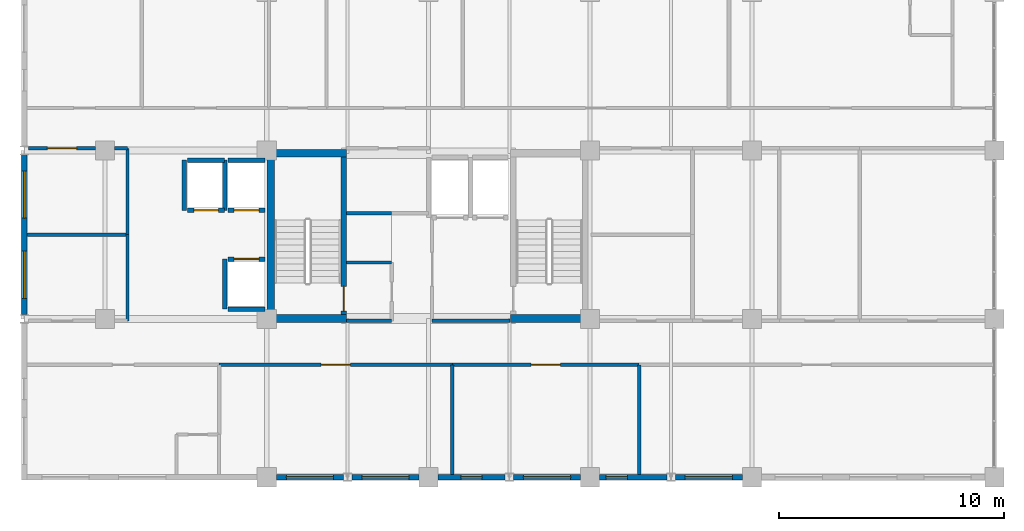
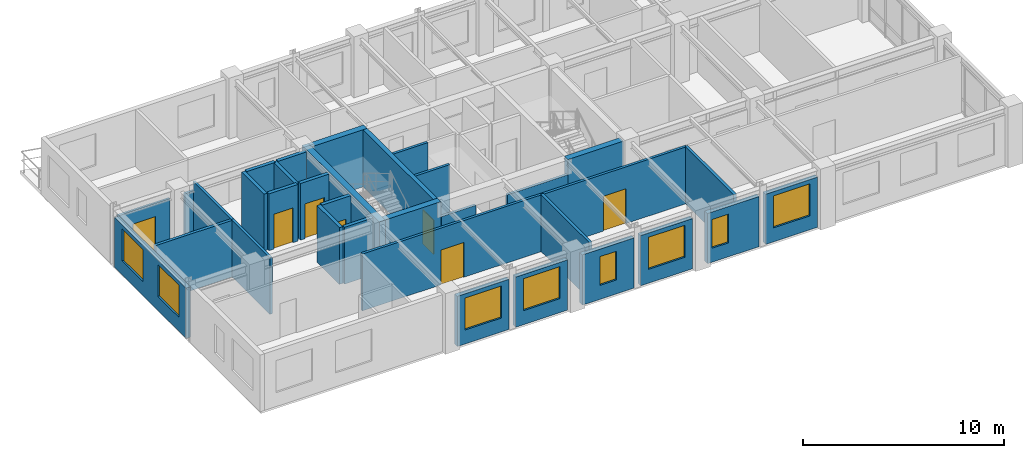
# One storey, part 6 of 11: 34 walls, 8 windows, 7 doors, 15 openings.
"""IFC4 building model written with IfcOpenShell, lengths in metres."""

from ifc_helpers import new_model, si_unit, direction, frame, frame_2d, origin, place, context, subcontext, project, spatial, rectangle, extrude, material, layer, layer_set, type_object, element, fill, save


model = new_model("IFC4")

# Units and contexts
model_context = context("Model", 3, precision=1e-05, world=origin(), true_north=direction((0.0, 1.0)))
body_context = subcontext(model_context, "Body", "Model", "MODEL_VIEW")
ifc_project = project(units=[si_unit("LENGTHUNIT", "METRE"), si_unit("AREAUNIT", "SQUARE_METRE"), si_unit("VOLUMEUNIT", "CUBIC_METRE"), si_unit("PLANEANGLEUNIT", "RADIAN"), si_unit("MASSUNIT", "GRAM", prefix="KILO")], contexts=[model_context])

# Site, building, storey
site_placement = place(None, origin())
site = spatial("IfcSite", under=ifc_project, at=site_placement, CompositionType="ELEMENT")
building_placement = place(site_placement, origin())
building = spatial("IfcBuilding", under=site, at=building_placement, Name="Kaliganga Portal Commons", CompositionType="ELEMENT")
storey_placement = place(building_placement, frame((0.0, 0.0, 261.0)))
storey = spatial("IfcBuildingStorey", under=building, at=storey_placement, Name="L67", CompositionType="ELEMENT", Elevation=261.0)

# Walls
ifc_material_1 = material(Name="Concrete C50/60", Category="concrete")
ifc_layer_1 = layer(ifc_material_1, 0.35009765625)
ifc_layer_set_1 = layer_set([ifc_layer_1], Name="Concrete C50/60")
wall_type_1 = type_object("IfcWallType", Name="WL-CORE-350", PredefinedType="SHEAR", material=ifc_layer_set_1)
wall_1_placement = place(storey_placement, frame((14.574951171875, 28.5, 0.0), z_axis=(0.0, 0.0, 1.0), x_axis=(0.0, 1.0, 0.0)))
element("IfcWall", 1, at=wall_1_placement, inside=storey, type_object=wall_type_1, Name="Core A West Shear Wall L67", PredefinedType="SHEAR", context=body_context, shape_type="SweptSolid", body=[
    extrude(rectangle(XDim=7.699951171875, YDim=0.35009765625, at=frame_2d((3.85009765625, 0.0))), origin(), (0.0, 0.0, 1.0), 3.47509765625),
])
for number, where, z_axis, x_axis, name in (
    (2, (14.75, 28.675048828125, 0.0), (0.0, 0.0, 1.0), (1.0, 0.0, 0.0), "Core A S-West Shear Wall L67"),
    (3, (25.25, 28.675048828125, 0.0), (0.0, 0.0, 1.0), (1.0, 0.0, 0.0), "Core A S-East Shear Wall L67"),
    (4, (14.75, 36.02490234375, 0.0), (0.0, 0.0, 1.0), (1.0, 0.0, 0.0), "Core A N-West Shear Wall L67"),
):
    element("IfcWall", number, at=place(storey_placement, frame(where, z_axis=z_axis, x_axis=x_axis)), inside=storey, type_object=wall_type_1, Name=name, PredefinedType="SHEAR", context=body_context, shape_type="SweptSolid", body=[
        extrude(rectangle(XDim=3.199951171875, YDim=0.35009765625, at=frame_2d((1.60009765625, 0.0))), origin(), (0.0, 0.0, 1.0), 3.47509765625),
    ])

# Wall, opening, window
ifc_material_2 = material(Name="Insulated Aluminium-Clad Spandrel Assembly", Category="aluminium")
ifc_layer_2 = layer(ifc_material_2, 0.260009765625)
ifc_layer_set_2 = layer_set([ifc_layer_2], Name="Insulated Aluminium-Clad Spandrel Assembly")
wall_type_2 = type_object("IfcWallType", Name="WL-EXT-SPAND-260", PredefinedType="STANDARD", material=ifc_layer_set_2)
wall_2_placement = place(storey_placement, frame((17.81201171875, 21.60009765625, 0.0), z_axis=(0.0, 0.0, 1.0), x_axis=(-1.0, 0.0, 0.0)))
wall_2 = element("IfcWall", 5, at=wall_2_placement, inside=storey, type_object=wall_type_2, Name="Exterior Envelope Wall L67 P1-E00-S2", PredefinedType="STANDARD", context=body_context, shape_type="SweptSolid", body=[
    extrude(rectangle(XDim=2.986083984375, YDim=0.260009765625, at=frame_2d((1.4931640625, 0.0))), origin(), (0.0, 0.0, 1.0), 3.054931640625),
])
opening_1_placement = place(wall_2_placement, frame((0.443115234375, 0.0, 0.85009765625)))
opening_1 = element("IfcOpeningElement", 6, at=opening_1_placement, cuts=wall_2, Name="Opening W-06", PredefinedType="OPENING", context=body_context, shape_type="SweptSolid", body=[
    extrude(rectangle(XDim=2.10009765625, YDim=1.949951171875, at=frame_2d((1.050048828125, 0.97509765625))), frame((0.0, 0.14013671875, 0.0), z_axis=(0.0, -1.0, 0.0), x_axis=(1.0, 0.0, 0.0)), (0.0, 0.0, 1.0), 0.280029296875),
])
ifc_material_3 = material(Name="Thermally Broken Aluminium and Low-E Double Glazing", Category="aluminium")
window_type_1 = type_object("IfcWindowType", Name="WIN-PAN-2100", PartitioningType="DOUBLE_PANEL_VERTICAL", PredefinedType="WINDOW", material=ifc_material_3)
window_1_placement = place(opening_1_placement, origin())
window_1 = element("IfcWindow", 7, at=window_1_placement, inside=storey, type_object=window_type_1, Name="Facade Window L67-P1E00S2-00", OverallHeight=1.949951171875, OverallWidth=2.10009765625, PartitioningType="SINGLE_PANEL", PredefinedType="WINDOW", context=body_context, shape_type="SweptSolid", body=[
    extrude(rectangle(XDim=2.10009765625, YDim=1.949951171875, at=frame_2d((1.050048828125, 0.97509765625))), frame((0.0, 0.030029296875, 0.0), z_axis=(0.0, -1.0, 0.0), x_axis=(1.0, 0.0, 0.0)), (0.0, 0.0, 1.0), 0.06005859375),
])
fill(opening_1, window_1)

wall_3_placement = place(storey_placement, frame((21.174072265625, 21.60009765625, 0.0), z_axis=(0.0, 0.0, 1.0), x_axis=(-1.0, 0.0, 0.0)))
wall_3 = element("IfcWall", 8, at=wall_3_placement, inside=storey, type_object=wall_type_2, Name="Exterior Envelope Wall L67 P1-E00-S3", PredefinedType="STANDARD", context=body_context, shape_type="SweptSolid", body=[
    extrude(rectangle(XDim=2.986083984375, YDim=0.260009765625, at=frame_2d((1.4931640625, 0.0))), origin(), (0.0, 0.0, 1.0), 3.054931640625),
])
opening_2_placement = place(wall_3_placement, frame((0.443115234375, 0.0, 0.85009765625)))
opening_2 = element("IfcOpeningElement", 9, at=opening_2_placement, cuts=wall_3, Name="Opening W-06", PredefinedType="OPENING", context=body_context, shape_type="SweptSolid", body=[
    extrude(rectangle(XDim=2.10009765625, YDim=1.949951171875, at=frame_2d((1.050048828125, 0.97509765625))), frame((0.0, 0.14013671875, 0.0), z_axis=(0.0, -1.0, 0.0), x_axis=(1.0, 0.0, 0.0)), (0.0, 0.0, 1.0), 0.280029296875),
])
window_2_placement = place(opening_2_placement, origin())
window_2 = element("IfcWindow", 10, at=window_2_placement, inside=storey, type_object=window_type_1, Name="Facade Window L67-P1E00S3-00", OverallHeight=1.949951171875, OverallWidth=2.10009765625, PartitioningType="SINGLE_PANEL", PredefinedType="WINDOW", context=body_context, shape_type="SweptSolid", body=[
    extrude(rectangle(XDim=2.10009765625, YDim=1.949951171875, at=frame_2d((1.050048828125, 0.97509765625))), frame((0.0, 0.030029296875, 0.0), z_axis=(0.0, -1.0, 0.0), x_axis=(1.0, 0.0, 0.0)), (0.0, 0.0, 1.0), 0.06005859375),
])
fill(opening_2, window_2)

wall_4_placement = place(storey_placement, frame((25.011962890625, 21.60009765625, 0.0), z_axis=(0.0, 0.0, 1.0), x_axis=(-1.0, 0.0, 0.0)))
wall_4 = element("IfcWall", 11, at=wall_4_placement, inside=storey, type_object=wall_type_2, Name="Exterior Envelope Wall L67 P1-E00-S4", PredefinedType="STANDARD", context=body_context, shape_type="SweptSolid", body=[
    extrude(rectangle(XDim=2.986083984375, YDim=0.260009765625, at=frame_2d((1.4931640625, 0.0))), origin(), (0.0, 0.0, 1.0), 3.054931640625),
])
opening_3_placement = place(wall_4_placement, frame((1.01806640625, 0.0, 0.85009765625)))
opening_3 = element("IfcOpeningElement", 12, at=opening_3_placement, cuts=wall_4, Name="Opening W-04", PredefinedType="OPENING", context=body_context, shape_type="SweptSolid", body=[
    extrude(rectangle(XDim=0.949951171875, YDim=1.75, at=frame_2d((0.47509765625, 0.875))), frame((0.0, 0.14013671875, 0.0), z_axis=(0.0, -1.0, 0.0), x_axis=(1.0, 0.0, 0.0)), (0.0, 0.0, 1.0), 0.280029296875),
])
window_type_2 = type_object("IfcWindowType", Name="WIN-NARROW-950", PartitioningType="SINGLE_PANEL", PredefinedType="WINDOW", material=ifc_material_3)
window_3_placement = place(opening_3_placement, origin())
window_3 = element("IfcWindow", 13, at=window_3_placement, inside=storey, type_object=window_type_2, Name="Facade Window L67-P1E00S4-N0", OverallHeight=1.75, OverallWidth=0.949951171875, PartitioningType="SINGLE_PANEL", PredefinedType="WINDOW", context=body_context, shape_type="SweptSolid", body=[
    extrude(rectangle(XDim=0.949951171875, YDim=1.75, at=frame_2d((0.47509765625, 0.875))), frame((0.0, 0.030029296875, 0.0), z_axis=(0.0, -1.0, 0.0), x_axis=(1.0, 0.0, 0.0)), (0.0, 0.0, 1.0), 0.06005859375),
])
fill(opening_3, window_3)

wall_5_placement = place(storey_placement, frame((28.3740234375, 21.60009765625, 0.0), z_axis=(0.0, 0.0, 1.0), x_axis=(-1.0, 0.0, 0.0)))
wall_5 = element("IfcWall", 14, at=wall_5_placement, inside=storey, type_object=wall_type_2, Name="Exterior Envelope Wall L67 P1-E00-S5", PredefinedType="STANDARD", context=body_context, shape_type="SweptSolid", body=[
    extrude(rectangle(XDim=2.986083984375, YDim=0.260009765625, at=frame_2d((1.4931640625, 0.0))), origin(), (0.0, 0.0, 1.0), 3.054931640625),
])
opening_4_placement = place(wall_5_placement, frame((0.443115234375, 0.0, 0.85009765625)))
opening_4 = element("IfcOpeningElement", 15, at=opening_4_placement, cuts=wall_5, Name="Opening W-06", PredefinedType="OPENING", context=body_context, shape_type="SweptSolid", body=[
    extrude(rectangle(XDim=2.10009765625, YDim=1.949951171875, at=frame_2d((1.050048828125, 0.97509765625))), frame((0.0, 0.14013671875, 0.0), z_axis=(0.0, -1.0, 0.0), x_axis=(1.0, 0.0, 0.0)), (0.0, 0.0, 1.0), 0.280029296875),
])
window_4_placement = place(opening_4_placement, origin())
window_4 = element("IfcWindow", 16, at=window_4_placement, inside=storey, type_object=window_type_1, Name="Facade Window L67-P1E00S5-00", OverallHeight=1.949951171875, OverallWidth=2.10009765625, PartitioningType="SINGLE_PANEL", PredefinedType="WINDOW", context=body_context, shape_type="SweptSolid", body=[
    extrude(rectangle(XDim=2.10009765625, YDim=1.949951171875, at=frame_2d((1.050048828125, 0.97509765625))), frame((0.0, 0.030029296875, 0.0), z_axis=(0.0, -1.0, 0.0), x_axis=(1.0, 0.0, 0.0)), (0.0, 0.0, 1.0), 0.06005859375),
])
fill(opening_4, window_4)

wall_6_placement = place(storey_placement, frame((32.2119140625, 21.60009765625, 0.0), z_axis=(0.0, 0.0, 1.0), x_axis=(-1.0, 0.0, 0.0)))
wall_6 = element("IfcWall", 17, at=wall_6_placement, inside=storey, type_object=wall_type_2, Name="Exterior Envelope Wall L67 P1-E00-S6", PredefinedType="STANDARD", context=body_context, shape_type="SweptSolid", body=[
    extrude(rectangle(XDim=2.98583984375, YDim=0.260009765625, at=frame_2d((1.492919921875, 0.0))), origin(), (0.0, 0.0, 1.0), 3.054931640625),
])
opening_5_placement = place(wall_6_placement, frame((1.758544921875, 0.0, 0.85009765625)))
opening_5 = element("IfcOpeningElement", 18, at=opening_5_placement, cuts=wall_6, Name="Opening W-04", PredefinedType="OPENING", context=body_context, shape_type="SweptSolid", body=[
    extrude(rectangle(XDim=0.949951171875, YDim=1.75, at=frame_2d((0.47509765625, 0.875))), frame((0.0, 0.14013671875, 0.0), z_axis=(0.0, -1.0, 0.0), x_axis=(1.0, 0.0, 0.0)), (0.0, 0.0, 1.0), 0.280029296875),
])
window_5_placement = place(opening_5_placement, origin())
window_5 = element("IfcWindow", 19, at=window_5_placement, inside=storey, type_object=window_type_2, Name="Facade Window L67-P1E00S6-N2", OverallHeight=1.75, OverallWidth=0.949951171875, PartitioningType="SINGLE_PANEL", PredefinedType="WINDOW", context=body_context, shape_type="SweptSolid", body=[
    extrude(rectangle(XDim=0.949951171875, YDim=1.75, at=frame_2d((0.47509765625, 0.875))), frame((0.0, 0.030029296875, 0.0), z_axis=(0.0, -1.0, 0.0), x_axis=(1.0, 0.0, 0.0)), (0.0, 0.0, 1.0), 0.06005859375),
])
fill(opening_5, window_5)

wall_7_placement = place(storey_placement, frame((35.573974609375, 21.60009765625, 0.0), z_axis=(0.0, 0.0, 1.0), x_axis=(-1.0, 0.0, 0.0)))
wall_7 = element("IfcWall", 20, at=wall_7_placement, inside=storey, type_object=wall_type_2, Name="Exterior Envelope Wall L67 P1-E00-S7", PredefinedType="STANDARD", context=body_context, shape_type="SweptSolid", body=[
    extrude(rectangle(XDim=2.986083984375, YDim=0.260009765625, at=frame_2d((1.4931640625, 0.0))), origin(), (0.0, 0.0, 1.0), 3.054931640625),
])
opening_6_placement = place(wall_7_placement, frame((0.443115234375, 0.0, 0.85009765625)))
opening_6 = element("IfcOpeningElement", 21, at=opening_6_placement, cuts=wall_7, Name="Opening W-06", PredefinedType="OPENING", context=body_context, shape_type="SweptSolid", body=[
    extrude(rectangle(XDim=2.10009765625, YDim=1.949951171875, at=frame_2d((1.050048828125, 0.97509765625))), frame((0.0, 0.14013671875, 0.0), z_axis=(0.0, -1.0, 0.0), x_axis=(1.0, 0.0, 0.0)), (0.0, 0.0, 1.0), 0.280029296875),
])
window_6_placement = place(opening_6_placement, origin())
window_6 = element("IfcWindow", 22, at=window_6_placement, inside=storey, type_object=window_type_1, Name="Facade Window L67-P1E00S7-00", OverallHeight=1.949951171875, OverallWidth=2.10009765625, PartitioningType="SINGLE_PANEL", PredefinedType="WINDOW", context=body_context, shape_type="SweptSolid", body=[
    extrude(rectangle(XDim=2.10009765625, YDim=1.949951171875, at=frame_2d((1.050048828125, 0.97509765625))), frame((0.0, 0.030029296875, 0.0), z_axis=(0.0, -1.0, 0.0), x_axis=(1.0, 0.0, 0.0)), (0.0, 0.0, 1.0), 0.06005859375),
])
fill(opening_6, window_6)

# Wall, openings, windows
wall_8_placement = place(storey_placement, frame((3.60009765625, 28.8369140625, 0.0), z_axis=(0.0, 0.0, 1.0), x_axis=(0.0, 1.0, 0.0)))
wall_8 = element("IfcWall", 23, at=wall_8_placement, inside=storey, type_object=wall_type_2, Name="Exterior Envelope Wall L67 P1-E03-S2", PredefinedType="STANDARD", context=body_context, shape_type="SweptSolid", body=[
    extrude(rectangle(XDim=7.1259765625, YDim=0.260009765625, at=frame_2d((3.56298828125, 0.0))), origin(), (0.0, 0.0, 1.0), 3.054931640625),
])
opening_7_placement = place(wall_8_placement, frame((0.7314453125, 0.0, 0.85009765625)))
opening_7 = element("IfcOpeningElement", 24, at=opening_7_placement, cuts=wall_8, Name="Opening W-06", PredefinedType="OPENING", context=body_context, shape_type="SweptSolid", body=[
    extrude(rectangle(XDim=2.10009765625, YDim=1.949951171875, at=frame_2d((1.050048828125, 0.97509765625))), frame((0.0, 0.14013671875, 0.0), z_axis=(0.0, -1.0, 0.0), x_axis=(1.0, 0.0, 0.0)), (0.0, 0.0, 1.0), 0.280029296875),
])
opening_8_placement = place(wall_8_placement, frame((4.29443359375, 0.0, 0.85009765625)))
opening_8 = element("IfcOpeningElement", 25, at=opening_8_placement, cuts=wall_8, Name="Opening W-06", PredefinedType="OPENING", context=body_context, shape_type="SweptSolid", body=[
    extrude(rectangle(XDim=2.10009765625, YDim=1.949951171875, at=frame_2d((1.050048828125, 0.97509765625))), frame((0.0, 0.14013671875, 0.0), z_axis=(0.0, -1.0, 0.0), x_axis=(1.0, 0.0, 0.0)), (0.0, 0.0, 1.0), 0.280029296875),
])
window_7_placement = place(opening_7_placement, origin())
window_7 = element("IfcWindow", 26, at=window_7_placement, inside=storey, type_object=window_type_1, Name="Facade Window L67-P1E03S2-00", OverallHeight=1.949951171875, OverallWidth=2.10009765625, PartitioningType="SINGLE_PANEL", PredefinedType="WINDOW", context=body_context, shape_type="SweptSolid", body=[
    extrude(rectangle(XDim=2.10009765625, YDim=1.949951171875, at=frame_2d((1.050048828125, 0.97509765625))), frame((0.0, 0.030029296875, 0.0), z_axis=(0.0, -1.0, 0.0), x_axis=(1.0, 0.0, 0.0)), (0.0, 0.0, 1.0), 0.06005859375),
])
fill(opening_7, window_7)
window_8_placement = place(opening_8_placement, origin())
window_8 = element("IfcWindow", 27, at=window_8_placement, inside=storey, type_object=window_type_1, Name="Facade Window L67-P1E03S2-01", OverallHeight=1.949951171875, OverallWidth=2.10009765625, PartitioningType="SINGLE_PANEL", PredefinedType="WINDOW", context=body_context, shape_type="SweptSolid", body=[
    extrude(rectangle(XDim=2.10009765625, YDim=1.949951171875, at=frame_2d((1.050048828125, 0.97509765625))), frame((0.0, 0.030029296875, 0.0), z_axis=(0.0, -1.0, 0.0), x_axis=(1.0, 0.0, 0.0)), (0.0, 0.0, 1.0), 0.06005859375),
])
fill(opening_8, window_8)

# Wall, opening, door
ifc_material_4 = material(Name="Fire-Rated Gypsum Board on Steel Stud", Category="steel")
ifc_layer_3 = layer(ifc_material_4, 0.14990234375)
ifc_layer_set_3 = layer_set([ifc_layer_3], Name="Fire-Rated Gypsum Board on Steel Stud")
wall_type_3 = type_object("IfcWallType", Name="WL-PART-CORR-150", PredefinedType="PARTITIONING", material=ifc_layer_set_3)
wall_9_placement = place(storey_placement, frame((12.280029296875, 26.60009765625, 0.0), z_axis=(0.0, 0.0, 1.0), x_axis=(1.0, 0.0, 0.0)))
wall_9 = element("IfcWall", 28, at=wall_9_placement, inside=storey, type_object=wall_type_3, Name="Interior Partition L67-009", PredefinedType="PARTITIONING", context=body_context, shape_type="SweptSolid", body=[
    extrude(rectangle(XDim=10.3798828125, YDim=0.14990234375, at=frame_2d((5.18994140625, 0.0))), origin(), (0.0, 0.0, 1.0), 3.455078125),
])
opening_9_placement = place(wall_9_placement, frame((4.5400390625, 0.0, 0.0)))
opening_9 = element("IfcOpeningElement", 29, at=opening_9_placement, cuts=wall_9, Name="Opening RD-03", PredefinedType="OPENING", context=body_context, shape_type="SweptSolid", body=[
    extrude(rectangle(XDim=1.300048828125, YDim=2.1201171875, at=frame_2d((0.64990234375, 1.06005859375))), frame((0.0, 0.0849609375, 0.0), z_axis=(0.0, -1.0, 0.0), x_axis=(1.0, 0.0, 0.0)), (0.0, 0.0, 1.0), 0.169921875),
])
ifc_material_5 = material(Name="Glazed Timber Seminar Vision Door", Category="wood")
door_type_1 = type_object("IfcDoorType", Name="DR-STUDY-1300", OperationType="DOUBLE_DOOR_SINGLE_SWING", PredefinedType="DOOR", material=ifc_material_5)
door_1_placement = place(opening_9_placement, origin())
door_1 = element("IfcDoor", 30, at=door_1_placement, inside=storey, type_object=door_type_1, Name="Interior Door L67-AS02", OperationType="DOUBLE_DOOR_SINGLE_SWING", OverallHeight=2.1201171875, OverallWidth=1.300048828125, PredefinedType="DOOR", context=body_context, shape_type="SweptSolid", body=[
    extrude(rectangle(XDim=1.300048828125, YDim=2.1201171875, at=frame_2d((0.64990234375, 1.06005859375))), frame((0.0, 0.02490234375, 0.0), z_axis=(0.0, -1.0, 0.0), x_axis=(1.0, 0.0, 0.0)), (0.0, 0.0, 1.0), 0.050048828125),
])
fill(opening_9, door_1)

wall_10_placement = place(storey_placement, frame((22.659912109375, 26.60009765625, 0.0), z_axis=(0.0, 0.0, 1.0), x_axis=(1.0, 0.0, 0.0)))
wall_10 = element("IfcWall", 31, at=wall_10_placement, inside=storey, type_object=wall_type_3, Name="Interior Partition L67-012", PredefinedType="PARTITIONING", context=body_context, shape_type="SweptSolid", body=[
    extrude(rectangle(XDim=8.320068359375, YDim=0.14990234375, at=frame_2d((4.16015625, 0.0))), origin(), (0.0, 0.0, 1.0), 3.455078125),
])
opening_10_placement = place(wall_10_placement, frame((3.510009765625, 0.0, 0.0)))
opening_10 = element("IfcOpeningElement", 32, at=opening_10_placement, cuts=wall_10, Name="Opening RD-03", PredefinedType="OPENING", context=body_context, shape_type="SweptSolid", body=[
    extrude(rectangle(XDim=1.300048828125, YDim=2.1201171875, at=frame_2d((0.64990234375, 1.06005859375))), frame((0.0, 0.0849609375, 0.0), z_axis=(0.0, -1.0, 0.0), x_axis=(1.0, 0.0, 0.0)), (0.0, 0.0, 1.0), 0.169921875),
])
door_2_placement = place(opening_10_placement, origin())
door_2 = element("IfcDoor", 33, at=door_2_placement, inside=storey, type_object=door_type_1, Name="Interior Door L67-AS03", OperationType="DOUBLE_DOOR_SINGLE_SWING", OverallHeight=2.1201171875, OverallWidth=1.300048828125, PredefinedType="DOOR", context=body_context, shape_type="SweptSolid", body=[
    extrude(rectangle(XDim=1.300048828125, YDim=2.1201171875, at=frame_2d((0.64990234375, 1.06005859375))), frame((0.0, 0.02490234375, 0.0), z_axis=(0.0, -1.0, 0.0), x_axis=(1.0, 0.0, 0.0)), (0.0, 0.0, 1.0), 0.050048828125),
])
fill(opening_10, door_2)

wall_11_placement = place(storey_placement, frame((3.787109375, 36.239990234375, 0.0), z_axis=(0.0, 0.0, 1.0), x_axis=(1.0, 0.0, 0.0)))
wall_11 = element("IfcWall", 34, at=wall_11_placement, inside=storey, type_object=wall_type_3, Name="Interior Partition L67-020", PredefinedType="PARTITIONING", context=body_context, shape_type="SweptSolid", body=[
    extrude(rectangle(XDim=2.98779296875, YDim=0.14990234375, at=frame_2d((1.493896484375, 0.0))), origin(), (0.0, 0.0, 1.0), 2.905029296875),
])
opening_11_placement = place(wall_11_placement, frame((0.843994140625, 0.0, 0.0)))
opening_11 = element("IfcOpeningElement", 35, at=opening_11_placement, cuts=wall_11, Name="Opening RD-03", PredefinedType="OPENING", context=body_context, shape_type="SweptSolid", body=[
    extrude(rectangle(XDim=1.300048828125, YDim=2.1201171875, at=frame_2d((0.64990234375, 1.06005859375))), frame((0.0, 0.0849609375, 0.0), z_axis=(0.0, -1.0, 0.0), x_axis=(1.0, 0.0, 0.0)), (0.0, 0.0, 1.0), 0.169921875),
])
door_3_placement = place(opening_11_placement, origin())
door_3 = element("IfcDoor", 36, at=door_3_placement, inside=storey, type_object=door_type_1, Name="Interior Door L67-AW02", OperationType="DOUBLE_DOOR_SINGLE_SWING", OverallHeight=2.1201171875, OverallWidth=1.300048828125, PredefinedType="DOOR", context=body_context, shape_type="SweptSolid", body=[
    extrude(rectangle(XDim=1.300048828125, YDim=2.1201171875, at=frame_2d((0.64990234375, 1.06005859375))), frame((0.0, 0.02490234375, 0.0), z_axis=(0.0, -1.0, 0.0), x_axis=(1.0, 0.0, 0.0)), (0.0, 0.0, 1.0), 0.050048828125),
])
fill(opening_11, door_3)

# Walls
wall_12_placement = place(storey_placement, frame((7.625, 36.239990234375, 0.0), z_axis=(0.0, 0.0, 1.0), x_axis=(1.0, 0.0, 0.0)))
element("IfcWall", 37, at=wall_12_placement, inside=storey, type_object=wall_type_3, Name="Interior Partition L67-021", PredefinedType="PARTITIONING", context=body_context, shape_type="SweptSolid", body=[
    extrude(rectangle(XDim=0.574951171875, YDim=0.14990234375, at=frame_2d((0.28759765625, 0.0))), origin(), (0.0, 0.0, 1.0), 2.905029296875),
])
wall_13_placement = place(storey_placement, frame((8.199951171875, 32.39990234375, 0.0), z_axis=(0.0, 0.0, 1.0), x_axis=(0.0, 1.0, 0.0)))
element("IfcWall", 38, at=wall_13_placement, inside=storey, type_object=wall_type_3, Name="Interior Partition L67-028", PredefinedType="PARTITIONING", context=body_context, shape_type="SweptSolid", body=[
    extrude(rectangle(XDim=3.840087890625, YDim=0.14990234375, at=frame_2d((1.919921875, 0.0))), origin(), (0.0, 0.0, 1.0), 3.455078125),
])
wall_14_placement = place(storey_placement, frame((8.199951171875, 28.56005859375, 0.0), z_axis=(0.0, 0.0, 1.0), x_axis=(0.0, 1.0, 0.0)))
element("IfcWall", 39, at=wall_14_placement, inside=storey, type_object=wall_type_3, Name="Interior Partition L67-029", PredefinedType="PARTITIONING", context=body_context, shape_type="SweptSolid", body=[
    extrude(rectangle(XDim=3.83984375, YDim=0.14990234375, at=frame_2d((1.919921875, 0.0))), origin(), (0.0, 0.0, 1.0), 3.455078125),
])
wall_15_placement = place(storey_placement, frame((17.9599609375, 28.56005859375, 0.0), z_axis=(0.0, 0.0, 1.0), x_axis=(1.0, 0.0, 0.0)))
element("IfcWall", 40, at=wall_15_placement, inside=storey, type_object=wall_type_3, Name="Interior Partition L67-035", PredefinedType="PARTITIONING", context=body_context, shape_type="SweptSolid", body=[
    extrude(rectangle(XDim=2.0, YDim=0.14990234375, at=frame_2d((1.0, 0.0))), origin(), (0.0, 0.0, 1.0), 2.554931640625),
])
for number, where, z_axis, x_axis, name in (
    (41, (17.9599609375, 31.159912109375, 0.0), (0.0, 0.0, 1.0), (1.0, 0.0, 0.0), "Interior Partition L67-036"),
    (42, (17.9599609375, 33.360107421875, 0.0), (0.0, 0.0, 1.0), (1.0, 0.0, 0.0), "Interior Partition L67-037"),
):
    element("IfcWall", number, at=place(storey_placement, frame(where, z_axis=z_axis, x_axis=x_axis)), inside=storey, type_object=wall_type_3, Name=name, PredefinedType="PARTITIONING", context=body_context, shape_type="SweptSolid", body=[
        extrude(rectangle(XDim=2.0, YDim=0.14990234375, at=frame_2d((1.0, 0.0))), origin(), (0.0, 0.0, 1.0), 3.455078125),
    ])
wall_16_placement = place(storey_placement, frame((21.760009765625, 28.56005859375, 0.0), z_axis=(0.0, 0.0, 1.0), x_axis=(1.0, 0.0, 0.0)))
element("IfcWall", 43, at=wall_16_placement, inside=storey, type_object=wall_type_3, Name="Interior Partition L67-054", PredefinedType="PARTITIONING", context=body_context, shape_type="SweptSolid", body=[
    extrude(rectangle(XDim=3.47998046875, YDim=0.14990234375, at=frame_2d((1.739990234375, 0.0))), origin(), (0.0, 0.0, 1.0), 2.554931640625),
])
ifc_material_6 = material(Name="Twin-Stud Acoustic Gypsum Partition", Category="gypsum")
ifc_layer_4 = layer(ifc_material_6, 0.1650390625)
ifc_layer_set_4 = layer_set([ifc_layer_4], Name="Twin-Stud Acoustic Gypsum Partition")
wall_type_4 = type_object("IfcWallType", Name="WL-PART-UNIT-165", PredefinedType="PARTITIONING", material=ifc_layer_set_4)
for number, where, z_axis, x_axis, name in (
    (44, (22.659912109375, 21.73193359375, 0.0), (0.0, 0.0, 1.0), (0.0, 1.0, 0.0), "Interior Partition L67-047"),
    (45, (30.97998046875, 21.73193359375, 0.0), (0.0, 0.0, 1.0), (0.0, 1.0, 0.0), "Interior Partition L67-048"),
):
    element("IfcWall", number, at=place(storey_placement, frame(where, z_axis=z_axis, x_axis=x_axis)), inside=storey, type_object=wall_type_4, Name=name, PredefinedType="PARTITIONING", context=body_context, shape_type="SweptSolid", body=[
        extrude(rectangle(XDim=4.8681640625, YDim=0.1650390625, at=frame_2d((2.43408203125, 0.0))), origin(), (0.0, 0.0, 1.0), 3.455078125),
    ])
wall_17_placement = place(storey_placement, frame((3.73193359375, 32.39990234375, 0.0), z_axis=(0.0, 0.0, 1.0), x_axis=(1.0, 0.0, 0.0)))
element("IfcWall", 46, at=wall_17_placement, inside=storey, type_object=wall_type_4, Name="Interior Partition L67-049", PredefinedType="PARTITIONING", context=body_context, shape_type="SweptSolid", body=[
    extrude(rectangle(XDim=4.468017578125, YDim=0.1650390625, at=frame_2d((2.23388671875, 0.0))), origin(), (0.0, 0.0, 1.0), 3.455078125),
])

# Wall, opening, door
ifc_material_7 = material(Name="Fire-Rated Shaftwall Masonry Assembly", Category="masonry")
ifc_layer_5 = layer(ifc_material_7, 0.199951171875)
ifc_layer_set_5 = layer_set([ifc_layer_5], Name="Fire-Rated Shaftwall Masonry Assembly")
wall_type_5 = type_object("IfcWallType", Name="WL-SHAFT-200", PredefinedType="PARTITIONING", material=ifc_layer_set_5)
wall_18_placement = place(storey_placement, frame((12.675048828125, 33.485107421875, 0.0), z_axis=(0.0, 0.0, 1.0), x_axis=(1.0, 0.0, 0.0)))
wall_18 = element("IfcWall", 47, at=wall_18_placement, inside=storey, type_object=wall_type_5, Name="Lift PL-A3 Hoistway Shaft Wall L67-S", PredefinedType="PARTITIONING", context=body_context, shape_type="SweptSolid", body=[
    extrude(rectangle(XDim=1.64990234375, YDim=0.199951171875, at=frame_2d((0.824951171875, 0.0))), origin(), (0.0, 0.0, 1.0), 3.455078125),
])
opening_12_placement = place(wall_18_placement, frame((0.27490234375, 0.0, 0.0)))
opening_12 = element("IfcOpeningElement", 48, at=opening_12_placement, cuts=wall_18, Name="Opening LD-01", PredefinedType="OPENING", context=body_context, shape_type="SweptSolid", body=[
    extrude(rectangle(XDim=1.10009765625, YDim=2.1201171875, at=frame_2d((0.550048828125, 1.06005859375))), frame((0.0, 0.10986328125, 0.0), z_axis=(0.0, -1.0, 0.0), x_axis=(1.0, 0.0, 0.0)), (0.0, 0.0, 1.0), 0.219970703125),
])
ifc_material_8 = material(Name="Brushed Stainless Steel 316 Lift Landing Door", Category="steel")
door_type_2 = type_object("IfcDoorType", Name="DR-LIFT-1100", OperationType="SLIDING_TO_LEFT", PredefinedType="DOOR", material=ifc_material_8)
door_4_placement = place(opening_12_placement, origin())
door_4 = element("IfcDoor", 49, at=door_4_placement, inside=storey, type_object=door_type_2, Name="Lift PL-A3 Sliding Landing Door L67", OperationType="SLIDING_TO_LEFT", OverallHeight=2.1201171875, OverallWidth=1.10009765625, PredefinedType="DOOR", context=body_context, shape_type="SweptSolid", body=[
    extrude(rectangle(XDim=1.10009765625, YDim=2.1201171875, at=frame_2d((0.550048828125, 1.06005859375))), frame((0.0, 0.02490234375, 0.0), z_axis=(0.0, -1.0, 0.0), x_axis=(1.0, 0.0, 0.0)), (0.0, 0.0, 1.0), 0.050048828125),
])
fill(opening_12, door_4)

# Walls
wall_19_placement = place(storey_placement, frame((12.675048828125, 35.715087890625, 0.0), z_axis=(0.0, 0.0, 1.0), x_axis=(1.0, 0.0, 0.0)))
element("IfcWall", 50, at=wall_19_placement, inside=storey, type_object=wall_type_5, Name="Lift PL-A3 Hoistway Shaft Wall L67-N", PredefinedType="PARTITIONING", context=body_context, shape_type="SweptSolid", body=[
    extrude(rectangle(XDim=1.64990234375, YDim=0.199951171875, at=frame_2d((0.824951171875, 0.0))), origin(), (0.0, 0.0, 1.0), 3.455078125),
])
wall_20_placement = place(storey_placement, frame((12.534912109375, 33.485107421875, 0.0), z_axis=(0.0, 0.0, 1.0), x_axis=(0.0, 1.0, 0.0)))
element("IfcWall", 51, at=wall_20_placement, inside=storey, type_object=wall_type_5, Name="Lift PL-A3 Hoistway Shaft Wall L67-W", PredefinedType="PARTITIONING", context=body_context, shape_type="SweptSolid", body=[
    extrude(rectangle(XDim=2.22998046875, YDim=0.199951171875, at=frame_2d((1.114990234375, 0.0))), origin(), (0.0, 0.0, 1.0), 3.455078125),
])
wall_21_placement = place(storey_placement, frame((12.675048828125, 29.0849609375, 0.0), z_axis=(0.0, 0.0, 1.0), x_axis=(1.0, 0.0, 0.0)))
element("IfcWall", 52, at=wall_21_placement, inside=storey, type_object=wall_type_5, Name="Lift PL-A4 Hoistway Shaft Wall L67-S", PredefinedType="PARTITIONING", context=body_context, shape_type="SweptSolid", body=[
    extrude(rectangle(XDim=1.64990234375, YDim=0.199951171875, at=frame_2d((0.824951171875, 0.0))), origin(), (0.0, 0.0, 1.0), 3.455078125),
])

# Wall, opening, door
wall_22_placement = place(storey_placement, frame((12.675048828125, 31.31494140625, 0.0), z_axis=(0.0, 0.0, 1.0), x_axis=(1.0, 0.0, 0.0)))
wall_22 = element("IfcWall", 53, at=wall_22_placement, inside=storey, type_object=wall_type_5, Name="Lift PL-A4 Hoistway Shaft Wall L67-N", PredefinedType="PARTITIONING", context=body_context, shape_type="SweptSolid", body=[
    extrude(rectangle(XDim=1.64990234375, YDim=0.199951171875, at=frame_2d((0.824951171875, 0.0))), origin(), (0.0, 0.0, 1.0), 3.455078125),
])
opening_13_placement = place(wall_22_placement, frame((0.27490234375, 0.0, 0.0)))
opening_13 = element("IfcOpeningElement", 54, at=opening_13_placement, cuts=wall_22, Name="Opening LD-01", PredefinedType="OPENING", context=body_context, shape_type="SweptSolid", body=[
    extrude(rectangle(XDim=1.10009765625, YDim=2.1201171875, at=frame_2d((0.550048828125, 1.06005859375))), frame((0.0, 0.10986328125, 0.0), z_axis=(0.0, -1.0, 0.0), x_axis=(1.0, 0.0, 0.0)), (0.0, 0.0, 1.0), 0.219970703125),
])
door_5_placement = place(opening_13_placement, origin())
door_5 = element("IfcDoor", 55, at=door_5_placement, inside=storey, type_object=door_type_2, Name="Lift PL-A4 Sliding Landing Door L67", OperationType="SLIDING_TO_LEFT", OverallHeight=2.1201171875, OverallWidth=1.10009765625, PredefinedType="DOOR", context=body_context, shape_type="SweptSolid", body=[
    extrude(rectangle(XDim=1.10009765625, YDim=2.1201171875, at=frame_2d((0.550048828125, 1.06005859375))), frame((0.0, 0.02490234375, 0.0), z_axis=(0.0, -1.0, 0.0), x_axis=(1.0, 0.0, 0.0)), (0.0, 0.0, 1.0), 0.050048828125),
])
fill(opening_13, door_5)

# Wall
wall_23_placement = place(storey_placement, frame((12.534912109375, 29.0849609375, 0.0), z_axis=(0.0, 0.0, 1.0), x_axis=(0.0, 1.0, 0.0)))
element("IfcWall", 56, at=wall_23_placement, inside=storey, type_object=wall_type_5, Name="Lift PL-A4 Hoistway Shaft Wall L67-W", PredefinedType="PARTITIONING", context=body_context, shape_type="SweptSolid", body=[
    extrude(rectangle(XDim=2.22998046875, YDim=0.199951171875, at=frame_2d((1.114990234375, 0.0))), origin(), (0.0, 0.0, 1.0), 3.455078125),
])

# Wall, opening, door
wall_24_placement = place(storey_placement, frame((10.875, 33.485107421875, 0.0), z_axis=(0.0, 0.0, 1.0), x_axis=(1.0, 0.0, 0.0)))
wall_24 = element("IfcWall", 57, at=wall_24_placement, inside=storey, type_object=wall_type_5, Name="Lift PL-OBS Hoistway Shaft Wall L67-S", PredefinedType="PARTITIONING", context=body_context, shape_type="SweptSolid", body=[
    extrude(rectangle(XDim=1.64990234375, YDim=0.199951171875, at=frame_2d((0.824951171875, 0.0))), origin(), (0.0, 0.0, 1.0), 3.455078125),
])
opening_14_placement = place(wall_24_placement, frame((0.27490234375, 0.0, 0.0)))
opening_14 = element("IfcOpeningElement", 58, at=opening_14_placement, cuts=wall_24, Name="Opening LD-01", PredefinedType="OPENING", context=body_context, shape_type="SweptSolid", body=[
    extrude(rectangle(XDim=1.10009765625, YDim=2.1201171875, at=frame_2d((0.550048828125, 1.06005859375))), frame((0.0, 0.10986328125, 0.0), z_axis=(0.0, -1.0, 0.0), x_axis=(1.0, 0.0, 0.0)), (0.0, 0.0, 1.0), 0.219970703125),
])
door_6_placement = place(opening_14_placement, origin())
door_6 = element("IfcDoor", 59, at=door_6_placement, inside=storey, type_object=door_type_2, Name="Lift PL-OBS Sliding Landing Door L67", OperationType="SLIDING_TO_LEFT", OverallHeight=2.1201171875, OverallWidth=1.10009765625, PredefinedType="DOOR", context=body_context, shape_type="SweptSolid", body=[
    extrude(rectangle(XDim=1.10009765625, YDim=2.1201171875, at=frame_2d((0.550048828125, 1.06005859375))), frame((0.0, 0.02490234375, 0.0), z_axis=(0.0, -1.0, 0.0), x_axis=(1.0, 0.0, 0.0)), (0.0, 0.0, 1.0), 0.050048828125),
])
fill(opening_14, door_6)

# Walls
wall_25_placement = place(storey_placement, frame((10.875, 35.715087890625, 0.0), z_axis=(0.0, 0.0, 1.0), x_axis=(1.0, 0.0, 0.0)))
element("IfcWall", 60, at=wall_25_placement, inside=storey, type_object=wall_type_5, Name="Lift PL-OBS Hoistway Shaft Wall L67-N", PredefinedType="PARTITIONING", context=body_context, shape_type="SweptSolid", body=[
    extrude(rectangle(XDim=1.64990234375, YDim=0.199951171875, at=frame_2d((0.824951171875, 0.0))), origin(), (0.0, 0.0, 1.0), 3.455078125),
])
wall_26_placement = place(storey_placement, frame((10.735107421875, 33.485107421875, 0.0), z_axis=(0.0, 0.0, 1.0), x_axis=(0.0, 1.0, 0.0)))
element("IfcWall", 61, at=wall_26_placement, inside=storey, type_object=wall_type_5, Name="Lift PL-OBS Hoistway Shaft Wall L67-W", PredefinedType="PARTITIONING", context=body_context, shape_type="SweptSolid", body=[
    extrude(rectangle(XDim=2.22998046875, YDim=0.199951171875, at=frame_2d((1.114990234375, 0.0))), origin(), (0.0, 0.0, 1.0), 3.455078125),
])

# Wall, opening, door
ifc_layer_6 = layer(ifc_material_1, 0.25)
ifc_layer_set_6 = layer_set([ifc_layer_6], Name="Concrete C50/60")
wall_type_6 = type_object("IfcWallType", Name="WL-STAIR-250", PredefinedType="SHEAR", material=ifc_layer_set_6)
wall_27_placement = place(storey_placement, frame((17.824951171875, 28.85009765625, 0.0), z_axis=(0.0, 0.0, 1.0), x_axis=(0.0, 1.0, 0.0)))
wall_27 = element("IfcWall", 62, at=wall_27_placement, inside=storey, type_object=wall_type_6, Name="Stair A1 Enclosure Shear Wall L67", PredefinedType="SHEAR", context=body_context, shape_type="SweptSolid", body=[
    extrude(rectangle(XDim=7.0, YDim=0.25, at=frame_2d((3.5, 0.0))), origin(), (0.0, 0.0, 1.0), 3.47509765625),
])
opening_15_placement = place(wall_27_placement, frame((0.14990234375, 0.0, 0.0)))
opening_15 = element("IfcOpeningElement", 63, at=opening_15_placement, cuts=wall_27, Name="Opening SD-01", PredefinedType="OPENING", context=body_context, shape_type="SweptSolid", body=[
    extrude(rectangle(XDim=1.10009765625, YDim=2.080078125, at=frame_2d((0.550048828125, 1.0400390625))), frame((0.0, 0.135009765625, 0.0), z_axis=(0.0, -1.0, 0.0), x_axis=(1.0, 0.0, 0.0)), (0.0, 0.0, 1.0), 0.27001953125),
])
ifc_material_9 = material(Name="Galvanized Steel Fire Door Leaf and Frame", Category="steel")
door_type_3 = type_object("IfcDoorType", Name="DR-STAIR-1100", OperationType="NOTDEFINED", PredefinedType="DOOR", material=ifc_material_9)
door_7_placement = place(opening_15_placement, origin())
door_7 = element("IfcDoor", 64, at=door_7_placement, inside=storey, type_object=door_type_3, Name="Protected Stair ST-A1 Fire Door L67", OperationType="SINGLE_SWING_LEFT", OverallHeight=2.080078125, OverallWidth=1.10009765625, PredefinedType="DOOR", context=body_context, shape_type="SweptSolid", body=[
    extrude(rectangle(XDim=1.10009765625, YDim=2.080078125, at=frame_2d((0.550048828125, 1.0400390625))), frame((0.0, 0.02490234375, 0.0), z_axis=(0.0, -1.0, 0.0), x_axis=(1.0, 0.0, 0.0)), (0.0, 0.0, 1.0), 0.050048828125),
])
fill(opening_15, door_7)

save(model, "model.ifc")
